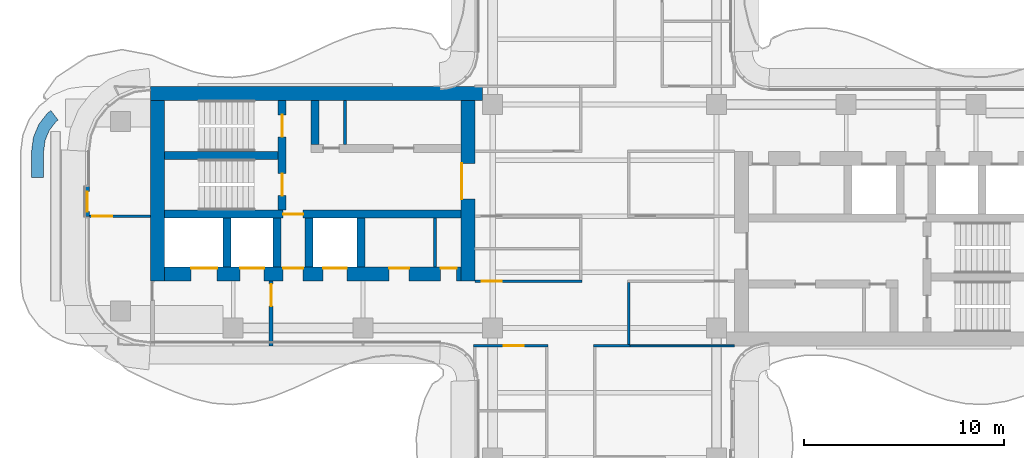
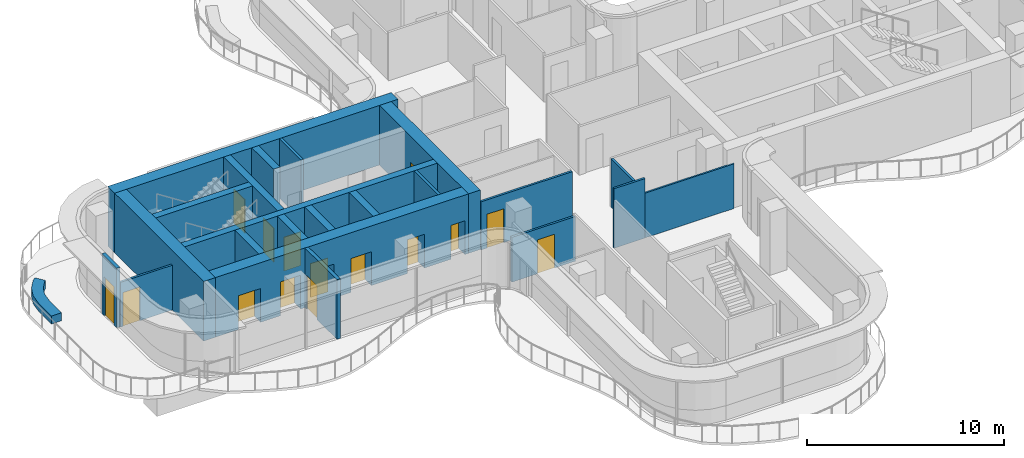
# One storey, part 12 of 17: 23 walls, 15 doors, 15 openings.
"""IFC4 building model written with IfcOpenShell, lengths in metres."""

from ifc_helpers import new_model, si_unit, direction, frame, frame_2d, origin, place, context, subcontext, project, spatial, polyline, rectangle, outline, extrude, source, transform, mapped, material, layer, layer_set, type_object, element, fill, save


model = new_model("IFC4")

# Units and contexts
model_context = context("Model", 3, precision=1e-05, world=origin(), true_north=direction((0.0, 1.0)))
body_context = subcontext(model_context, "Body", "Model", "MODEL_VIEW")
ifc_project = project(units=[si_unit("LENGTHUNIT", "METRE"), si_unit("AREAUNIT", "SQUARE_METRE"), si_unit("VOLUMEUNIT", "CUBIC_METRE"), si_unit("PLANEANGLEUNIT", "RADIAN"), si_unit("MASSUNIT", "GRAM", prefix="KILO")], contexts=[model_context])

# Site, building, storey
site_placement = place(None, origin())
site = spatial("IfcSite", under=ifc_project, at=site_placement, CompositionType="ELEMENT")
building_placement = place(site_placement, origin())
building = spatial("IfcBuilding", under=site, at=building_placement, Name="Trellis Farm Tower", CompositionType="ELEMENT")
storey_placement = place(building_placement, frame((0.0, 0.0, 279.39990234375)))
storey = spatial("IfcBuildingStorey", under=building, at=storey_placement, Name="L62", CompositionType="ELEMENT", Elevation=279.39990234375)

# Wall
ifc_material_1 = material(Name="Sandstone faced masonry planter", Category="masonry")
ifc_layer_1 = layer(ifc_material_1, 0.60009765625)
ifc_layer_set_1 = layer_set([ifc_layer_1], Name="PLANTER BED 600")
wall_type_1 = type_object("IfcWallType", Name="PLANTER BED 600", PredefinedType="USERDEFINED", material=ifc_layer_set_1)
wall_1_placement = place(storey_placement, origin())
element("IfcWall", 1, at=wall_1_placement, inside=storey, type_object=wall_type_1, Name="PLANTER bed", ObjectType="PLANTER", PredefinedType="USERDEFINED", context=body_context, shape_type="SweptSolid", body=[
    extrude(outline(polyline([(-28.603515625, 3.947509765625), (-28.334228515625, 4.59765625), (-27.90576171875, 5.15576171875), (-27.730224609375, 5.29052734375), (-27.364990234375, 4.814697265625), (-27.477783203125, 4.727783203125), (-27.81005859375, 4.294921875), (-28.018798828125, 3.791015625), (-28.10009765625, 3.174560546875), (-28.10009765625, 1.929931640625), (-28.699951171875, 1.929931640625), (-28.699951171875, 3.214111328125), (-28.603515625, 3.947509765625)])), origin(), (0.0, 0.0, 1.0), 0.5),
])

# Wall, opening, door
ifc_material_2 = material(Name="Concrete C50/60", Category="concrete")
ifc_layer_2 = layer(ifc_material_2, 0.699951171875)
ifc_layer_set_2 = layer_set([ifc_layer_2], Name="CORE OUTER WALL 700 CONCRETE C50/60")
wall_type_2 = type_object("IfcWallType", Name="CORE OUTER WALL 700 CONCRETE C50/60", PredefinedType="SHEAR", material=ifc_layer_set_2)
shared_shape_1 = source(origin(), body_context, "Body", "SweptSolid", [
    extrude(rectangle(XDim=9.050048828125, YDim=0.699951171875, at=frame_2d((4.52490234375, 0.0))), origin(), (0.0, 0.0, 1.0), 3.7001953125),
])
wall_2_placement = place(storey_placement, frame((-6.85009765625, 5.800048828125, 0.0), z_axis=(0.0, 0.0, 1.0), x_axis=(0.0, -1.0, 0.0)))
wall_2 = element("IfcWall", 2, at=wall_2_placement, inside=storey, type_object=wall_type_2, Name="Core wall", PredefinedType="SHEAR", context=body_context, shape_type="MappedRepresentation", body=[
    mapped(shared_shape_1, transform((0.0, 0.0, 0.0))),
])
shared_shape_2 = source(origin(), body_context, "Body", "SweptSolid", [
    extrude(rectangle(XDim=1.800048828125, YDim=2.10009765625, at=frame_2d((0.89990234375, 1.050048828125))), frame((0.0, 0.360107421875, 0.0), z_axis=(0.0, -1.0, 0.0), x_axis=(1.0, 0.0, 0.0)), (0.0, 0.0, 1.0), 0.72021484375),
])
opening_1_placement = place(wall_2_placement, frame((3.14990234375, 0.0, 0.0)))
opening_1 = element("IfcOpeningElement", 3, at=opening_1_placement, cuts=wall_2, Name="Opening DC87", PredefinedType="OPENING", context=body_context, shape_type="MappedRepresentation", body=[
    mapped(shared_shape_2, transform((0.0, 0.0, 0.0))),
])
ifc_material_3 = material(Name="Steel", Category="steel")
door_type_1 = type_object("IfcDoorType", Name="CORE FIRE DOOR DOUBLE 1800 X 2100", OperationType="DOUBLE_DOOR_SINGLE_SWING", PredefinedType="DOOR", material=ifc_material_3)
shared_shape_3 = source(origin(), body_context, "Body", "SweptSolid", [
    extrude(rectangle(XDim=1.800048828125, YDim=2.10009765625, at=frame_2d((0.89990234375, 1.050048828125))), frame((0.0, -0.27490234375, 0.0), z_axis=(0.0, -1.0, 0.0), x_axis=(1.0, 0.0, 0.0)), (0.0, 0.0, 1.0), 0.050048828125),
])
door_1_placement = place(opening_1_placement, origin())
door_1 = element("IfcDoor", 4, at=door_1_placement, inside=storey, type_object=door_type_1, Name="Core door", OperationType="DOUBLE_DOOR_SINGLE_SWING", OverallHeight=2.10009765625, OverallWidth=1.800048828125, PredefinedType="DOOR", context=body_context, shape_type="MappedRepresentation", body=[
    mapped(shared_shape_3, transform((0.0, 0.0, 0.0))),
])
fill(opening_1, door_1)

# Walls
wall_3_placement = place(storey_placement, frame((-22.39990234375, 5.800048828125, 0.0), z_axis=(0.0, 0.0, 1.0), x_axis=(0.0, -1.0, 0.0)))
element("IfcWall", 5, at=wall_3_placement, inside=storey, type_object=wall_type_2, Name="Core wall", PredefinedType="SHEAR", context=body_context, shape_type="MappedRepresentation", body=[
    mapped(shared_shape_1, transform((0.0, 0.0, 0.0))),
])
ifc_layer_3 = layer(ifc_material_2, 0.39990234375)
ifc_layer_set_3 = layer_set([ifc_layer_3], Name="CORE INNER WALL 400 CONCRETE C50/60")
wall_type_3 = type_object("IfcWallType", Name="CORE INNER WALL 400 CONCRETE C50/60", PredefinedType="SHEAR", material=ifc_layer_set_3)
shared_shape_4 = source(origin(), body_context, "Body", "SweptSolid", [
    extrude(rectangle(XDim=2.449951171875, YDim=0.39990234375, at=frame_2d((1.22509765625, 0.0))), origin(), (0.0, 0.0, 1.0), 3.7001953125),
])
for number, where, z_axis, x_axis, name in (
    (6, (-12.199951171875, -0.10009765625, 0.0), (0.0, 0.0, 1.0), (0.0, -1.0, 0.0), "Core wall"),
    (7, (-14.800048828125, -0.10009765625, 0.0), (0.0, 0.0, 1.0), (0.0, -1.0, 0.0), "Core wall"),
    (8, (-16.39990234375, -0.10009765625, 0.0), (0.0, 0.0, 1.0), (0.0, -1.0, 0.0), "Core wall"),
    (9, (-18.89990234375, -0.10009765625, 0.0), (0.0, 0.0, 1.0), (0.0, -1.0, 0.0), "Core wall"),
):
    element("IfcWall", number, at=place(storey_placement, frame(where, z_axis=z_axis, x_axis=x_axis)), inside=storey, type_object=wall_type_3, Name=name, PredefinedType="SHEAR", context=body_context, shape_type="MappedRepresentation", body=[
        mapped(shared_shape_4, transform((0.0, 0.0, 0.0))),
    ])

# Wall, opening, door
ifc_material_4 = material(Name="Masonry blockwork", Category="masonry")
ifc_layer_4 = layer(ifc_material_4, 0.199951171875)
ifc_layer_set_4 = layer_set([ifc_layer_4], Name="FIRE LOBBY PARTITION 200 BLOCKWORK")
wall_type_4 = type_object("IfcWallType", Name="FIRE LOBBY PARTITION 200 BLOCKWORK", PredefinedType="PARTITIONING", material=ifc_layer_set_4)
shared_shape_5 = source(origin(), body_context, "Body", "SweptSolid", [
    extrude(rectangle(XDim=3.25, YDim=0.199951171875, at=frame_2d((1.625, 0.0))), origin(), (0.0, 0.0, 1.0), 3.7001953125),
])
wall_4_placement = place(storey_placement, frame((-16.699951171875, -3.25, 0.0), z_axis=(0.0, 0.0, 1.0), x_axis=(0.0, -1.0, 0.0)))
wall_4 = element("IfcWall", 10, at=wall_4_placement, inside=storey, type_object=wall_type_4, Name="Fire-fighting lobby partition", PredefinedType="PARTITIONING", context=body_context, shape_type="MappedRepresentation", body=[
    mapped(shared_shape_5, transform((0.0, 0.0, 0.0))),
])
shared_shape_6 = source(origin(), body_context, "Body", "SweptSolid", [
    extrude(rectangle(XDim=1.10009765625, YDim=2.10009765625, at=frame_2d((0.550048828125, 1.050048828125))), frame((0.0, 0.110107421875, 0.0), z_axis=(0.0, -1.0, 0.0), x_axis=(1.0, 0.0, 0.0)), (0.0, 0.0, 1.0), 0.22021484375),
])
opening_2_placement = place(wall_4_placement, frame((0.14990234375, 0.0, 0.0)))
opening_2 = element("IfcOpeningElement", 11, at=opening_2_placement, cuts=wall_4, Name="Opening DC93", PredefinedType="OPENING", context=body_context, shape_type="MappedRepresentation", body=[
    mapped(shared_shape_6, transform((0.0, 0.0, 0.0))),
])
door_type_2 = type_object("IfcDoorType", Name="CORE FIRE DOOR 1100 X 2100", OperationType="NOTDEFINED", PredefinedType="DOOR", material=ifc_material_3)
shared_shape_7 = source(origin(), body_context, "Body", "SweptSolid", [
    extrude(rectangle(XDim=1.10009765625, YDim=2.10009765625, at=frame_2d((0.550048828125, 1.050048828125))), frame((0.0, 0.02490234375, 0.0), z_axis=(0.0, -1.0, 0.0), x_axis=(1.0, 0.0, 0.0)), (0.0, 0.0, 1.0), 0.050048828125),
])
door_2_placement = place(opening_2_placement, origin())
door_2 = element("IfcDoor", 12, at=door_2_placement, inside=storey, type_object=door_type_2, Name="Core door", OperationType="SINGLE_SWING_RIGHT", OverallHeight=2.10009765625, OverallWidth=1.10009765625, PredefinedType="DOOR", context=body_context, shape_type="MappedRepresentation", body=[
    mapped(shared_shape_7, transform((0.0, 0.0, 0.0))),
])
fill(opening_2, door_2)

# Wall, openings, doors
shared_shape_8 = source(origin(), body_context, "Body", "SweptSolid", [
    extrude(rectangle(XDim=14.85009765625, YDim=0.699951171875, at=frame_2d((7.425048828125, 0.0))), origin(), (0.0, 0.0, 1.0), 3.7001953125),
])
wall_5_placement = place(storey_placement, frame((-7.199951171875, -2.89990234375, 0.0), z_axis=(0.0, 0.0, 1.0), x_axis=(-1.0, 0.0, 0.0)))
wall_5 = element("IfcWall", 13, at=wall_5_placement, inside=storey, type_object=wall_type_2, Name="Core wall", PredefinedType="SHEAR", context=body_context, shape_type="MappedRepresentation", body=[
    mapped(shared_shape_8, transform((0.0, 0.0, 0.0))),
])
shared_shape_9 = source(origin(), body_context, "Body", "SweptSolid", [
    extrude(rectangle(XDim=1.199951171875, YDim=2.10009765625, at=frame_2d((0.60009765625, 1.050048828125))), frame((0.0, 0.360107421875, 0.0), z_axis=(0.0, -1.0, 0.0), x_axis=(1.0, 0.0, 0.0)), (0.0, 0.0, 1.0), 0.72021484375),
])
opening_3_placement = place(wall_5_placement, frame((5.699951171875, 0.0, 0.0)))
opening_3 = element("IfcOpeningElement", 14, at=opening_3_placement, cuts=wall_5, Name="Opening LD14", PredefinedType="OPENING", context=body_context, shape_type="MappedRepresentation", body=[
    mapped(shared_shape_9, transform((0.0, 0.0, 0.0))),
])
shared_shape_10 = source(origin(), body_context, "Body", "SweptSolid", [
    extrude(rectangle(XDim=1.300048828125, YDim=2.10009765625, at=frame_2d((0.64990234375, 1.050048828125))), frame((0.0, 0.360107421875, 0.0), z_axis=(0.0, -1.0, 0.0), x_axis=(1.0, 0.0, 0.0)), (0.0, 0.0, 1.0), 0.72021484375),
])
opening_4_placement = place(wall_5_placement, frame((12.199951171875, 0.0, 0.0)))
opening_4 = element("IfcOpeningElement", 15, at=opening_4_placement, cuts=wall_5, Name="Opening LD15", PredefinedType="OPENING", context=body_context, shape_type="MappedRepresentation", body=[
    mapped(shared_shape_10, transform((0.0, 0.0, 0.0))),
])
opening_5_placement = place(wall_5_placement, frame((9.85009765625, 0.0, 0.0)))
opening_5 = element("IfcOpeningElement", 16, at=opening_5_placement, cuts=wall_5, Name="Opening LD16", PredefinedType="OPENING", context=body_context, shape_type="MappedRepresentation", body=[
    mapped(shared_shape_9, transform((0.0, 0.0, 0.0))),
])
shared_shape_11 = source(origin(), body_context, "Body", "SweptSolid", [
    extrude(rectangle(XDim=1.0, YDim=2.10009765625, at=frame_2d((0.5, 1.050048828125))), frame((0.0, 0.360107421875, 0.0), z_axis=(0.0, -1.0, 0.0), x_axis=(1.0, 0.0, 0.0)), (0.0, 0.0, 1.0), 0.72021484375),
])
opening_6_placement = place(wall_5_placement, frame((7.89990234375, 0.0, 0.0)))
opening_6 = element("IfcOpeningElement", 17, at=opening_6_placement, cuts=wall_5, Name="Opening DC92", PredefinedType="OPENING", context=body_context, shape_type="MappedRepresentation", body=[
    mapped(shared_shape_11, transform((0.0, 0.0, 0.0))),
])
shared_shape_12 = source(origin(), body_context, "Body", "SweptSolid", [
    extrude(rectangle(XDim=0.800048828125, YDim=2.10009765625, at=frame_2d((0.39990234375, 1.050048828125))), frame((0.0, 0.360107421875, 0.0), z_axis=(0.0, -1.0, 0.0), x_axis=(1.0, 0.0, 0.0)), (0.0, 0.0, 1.0), 0.72021484375),
])
opening_7_placement = place(wall_5_placement, frame((0.21240234375, 0.0, 0.0)))
opening_7 = element("IfcOpeningElement", 18, at=opening_7_placement, cuts=wall_5, Name="Opening DC95", PredefinedType="OPENING", context=body_context, shape_type="MappedRepresentation", body=[
    mapped(shared_shape_12, transform((0.0, 0.0, 0.0))),
])
opening_8_placement = place(wall_5_placement, frame((2.58740234375, 0.0, 0.0)))
opening_8 = element("IfcOpeningElement", 19, at=opening_8_placement, cuts=wall_5, Name="Opening DC106", PredefinedType="OPENING", context=body_context, shape_type="MappedRepresentation", body=[
    mapped(shared_shape_11, transform((0.0, 0.0, 0.0))),
])
door_type_3 = type_object("IfcDoorType", Name="CORE FIRE DOOR 1000 X 2100", OperationType="NOTDEFINED", PredefinedType="DOOR", material=ifc_material_3)
shared_shape_13 = source(origin(), body_context, "Body", "SweptSolid", [
    extrude(rectangle(XDim=1.0, YDim=2.10009765625, at=frame_2d((0.5, 1.050048828125))), frame((0.0, -0.27490234375, 0.0), z_axis=(0.0, -1.0, 0.0), x_axis=(1.0, 0.0, 0.0)), (0.0, 0.0, 1.0), 0.050048828125),
])
door_3_placement = place(opening_6_placement, origin())
door_3 = element("IfcDoor", 20, at=door_3_placement, inside=storey, type_object=door_type_3, Name="Core door", OperationType="SINGLE_SWING_LEFT", OverallHeight=2.10009765625, OverallWidth=1.0, PredefinedType="DOOR", context=body_context, shape_type="MappedRepresentation", body=[
    mapped(shared_shape_13, transform((0.0, 0.0, 0.0))),
])
fill(opening_6, door_3)
door_4_placement = place(opening_8_placement, origin())
door_4 = element("IfcDoor", 21, at=door_4_placement, inside=storey, type_object=door_type_3, Name="Core door", OperationType="SINGLE_SWING_RIGHT", OverallHeight=2.10009765625, OverallWidth=1.0, PredefinedType="DOOR", context=body_context, shape_type="MappedRepresentation", body=[
    mapped(shared_shape_13, transform((0.0, 0.0, 0.0))),
])
fill(opening_8, door_4)
ifc_material_5 = material(Name="Stainless steel", Category="steel")
door_type_4 = type_object("IfcDoorType", Name="LIFT LANDING DOOR 1300 X 2100", OperationType="DOUBLE_DOOR_SLIDING", PredefinedType="DOOR", material=ifc_material_5)
shared_shape_14 = source(origin(), body_context, "Body", "SweptSolid", [
    extrude(rectangle(XDim=1.300048828125, YDim=2.10009765625, at=frame_2d((0.64990234375, 1.050048828125))), frame((0.0, -0.27490234375, 0.0), z_axis=(0.0, -1.0, 0.0), x_axis=(1.0, 0.0, 0.0)), (0.0, 0.0, 1.0), 0.050048828125),
])
door_5_placement = place(opening_4_placement, origin())
door_5 = element("IfcDoor", 22, at=door_5_placement, inside=storey, type_object=door_type_4, Name="Lift landing door", OperationType="DOUBLE_DOOR_SLIDING", OverallHeight=2.10009765625, OverallWidth=1.300048828125, PredefinedType="DOOR", context=body_context, shape_type="MappedRepresentation", body=[
    mapped(shared_shape_14, transform((0.0, 0.0, 0.0))),
])
fill(opening_4, door_5)
door_type_5 = type_object("IfcDoorType", Name="LIFT LANDING DOOR 1200 X 2100", OperationType="DOUBLE_DOOR_SLIDING", PredefinedType="DOOR", material=ifc_material_5)
shared_shape_15 = source(origin(), body_context, "Body", "SweptSolid", [
    extrude(rectangle(XDim=1.199951171875, YDim=2.10009765625, at=frame_2d((0.60009765625, 1.050048828125))), frame((0.0, -0.27490234375, 0.0), z_axis=(0.0, -1.0, 0.0), x_axis=(1.0, 0.0, 0.0)), (0.0, 0.0, 1.0), 0.050048828125),
])
door_6_placement = place(opening_3_placement, origin())
door_6 = element("IfcDoor", 23, at=door_6_placement, inside=storey, type_object=door_type_5, Name="Lift landing door", OperationType="DOUBLE_DOOR_SLIDING", OverallHeight=2.10009765625, OverallWidth=1.199951171875, PredefinedType="DOOR", context=body_context, shape_type="MappedRepresentation", body=[
    mapped(shared_shape_15, transform((0.0, 0.0, 0.0))),
])
fill(opening_3, door_6)
door_7_placement = place(opening_5_placement, origin())
door_7 = element("IfcDoor", 24, at=door_7_placement, inside=storey, type_object=door_type_5, Name="Lift landing door", OperationType="DOUBLE_DOOR_SLIDING", OverallHeight=2.10009765625, OverallWidth=1.199951171875, PredefinedType="DOOR", context=body_context, shape_type="MappedRepresentation", body=[
    mapped(shared_shape_15, transform((0.0, 0.0, 0.0))),
])
fill(opening_5, door_7)
door_type_6 = type_object("IfcDoorType", Name="CORE FIRE DOOR 800 X 2100", OperationType="NOTDEFINED", PredefinedType="DOOR", material=ifc_material_3)
shared_shape_16 = source(origin(), body_context, "Body", "SweptSolid", [
    extrude(rectangle(XDim=0.800048828125, YDim=2.10009765625, at=frame_2d((0.39990234375, 1.050048828125))), frame((0.0, -0.27490234375, 0.0), z_axis=(0.0, -1.0, 0.0), x_axis=(1.0, 0.0, 0.0)), (0.0, 0.0, 1.0), 0.050048828125),
])
door_8_placement = place(opening_7_placement, origin())
door_8 = element("IfcDoor", 25, at=door_8_placement, inside=storey, type_object=door_type_6, Name="Core door", OperationType="SINGLE_SWING_LEFT", OverallHeight=2.10009765625, OverallWidth=0.800048828125, PredefinedType="DOOR", context=body_context, shape_type="MappedRepresentation", body=[
    mapped(shared_shape_16, transform((0.0, 0.0, 0.0))),
])
fill(opening_7, door_8)

# Wall, opening, door
shared_shape_17 = source(origin(), body_context, "Body", "SweptSolid", [
    extrude(rectangle(XDim=14.85009765625, YDim=0.39990234375, at=frame_2d((7.425048828125, 0.0))), origin(), (0.0, 0.0, 1.0), 3.7001953125),
])
wall_6_placement = place(storey_placement, frame((-7.199951171875, 0.10009765625, 0.0), z_axis=(0.0, 0.0, 1.0), x_axis=(-1.0, 0.0, 0.0)))
wall_6 = element("IfcWall", 26, at=wall_6_placement, inside=storey, type_object=wall_type_3, Name="Core wall", PredefinedType="SHEAR", context=body_context, shape_type="MappedRepresentation", body=[
    mapped(shared_shape_17, transform((0.0, 0.0, 0.0))),
])
shared_shape_18 = source(origin(), body_context, "Body", "SweptSolid", [
    extrude(rectangle(XDim=1.0, YDim=2.10009765625, at=frame_2d((0.5, 1.050048828125))), frame((0.0, 0.2099609375, 0.0), z_axis=(0.0, -1.0, 0.0), x_axis=(1.0, 0.0, 0.0)), (0.0, 0.0, 1.0), 0.419921875),
])
opening_9_placement = place(wall_6_placement, frame((7.89990234375, 0.0, 0.0)))
opening_9 = element("IfcOpeningElement", 27, at=opening_9_placement, cuts=wall_6, Name="Opening DC91", PredefinedType="OPENING", context=body_context, shape_type="MappedRepresentation", body=[
    mapped(shared_shape_18, transform((0.0, 0.0, 0.0))),
])
shared_shape_19 = source(origin(), body_context, "Body", "SweptSolid", [
    extrude(rectangle(XDim=1.0, YDim=2.10009765625, at=frame_2d((0.5, 1.050048828125))), frame((0.0, 0.02490234375, 0.0), z_axis=(0.0, -1.0, 0.0), x_axis=(1.0, 0.0, 0.0)), (0.0, 0.0, 1.0), 0.050048828125),
])
door_9_placement = place(opening_9_placement, origin())
door_9 = element("IfcDoor", 28, at=door_9_placement, inside=storey, type_object=door_type_3, Name="Core door", OperationType="SINGLE_SWING_RIGHT", OverallHeight=2.10009765625, OverallWidth=1.0, PredefinedType="DOOR", context=body_context, shape_type="MappedRepresentation", body=[
    mapped(shared_shape_19, transform((0.0, 0.0, 0.0))),
])
fill(opening_9, door_9)

# Wall, openings, doors
shared_shape_20 = source(origin(), body_context, "Body", "SweptSolid", [
    extrude(rectangle(XDim=5.5, YDim=0.39990234375, at=frame_2d((2.75, 0.0))), origin(), (0.0, 0.0, 1.0), 3.7001953125),
])
wall_7_placement = place(storey_placement, frame((-16.14990234375, 5.800048828125, 0.0), z_axis=(0.0, 0.0, 1.0), x_axis=(0.0, -1.0, 0.0)))
wall_7 = element("IfcWall", 29, at=wall_7_placement, inside=storey, type_object=wall_type_3, Name="Core wall", PredefinedType="SHEAR", context=body_context, shape_type="MappedRepresentation", body=[
    mapped(shared_shape_20, transform((0.0, 0.0, 0.0))),
])
shared_shape_21 = source(origin(), body_context, "Body", "SweptSolid", [
    extrude(rectangle(XDim=1.10009765625, YDim=2.10009765625, at=frame_2d((0.550048828125, 1.050048828125))), frame((0.0, 0.2099609375, 0.0), z_axis=(0.0, -1.0, 0.0), x_axis=(1.0, 0.0, 0.0)), (0.0, 0.0, 1.0), 0.419921875),
])
opening_10_placement = place(wall_7_placement, frame((0.72509765625, 0.0, 0.0)))
opening_10 = element("IfcOpeningElement", 30, at=opening_10_placement, cuts=wall_7, Name="Opening DC88", PredefinedType="OPENING", context=body_context, shape_type="MappedRepresentation", body=[
    mapped(shared_shape_21, transform((0.0, 0.0, 0.0))),
])
opening_11_placement = place(wall_7_placement, frame((3.675048828125, 0.0, 0.0)))
opening_11 = element("IfcOpeningElement", 31, at=opening_11_placement, cuts=wall_7, Name="Opening DC89", PredefinedType="OPENING", context=body_context, shape_type="MappedRepresentation", body=[
    mapped(shared_shape_21, transform((0.0, 0.0, 0.0))),
])
door_10_placement = place(opening_10_placement, origin())
door_10 = element("IfcDoor", 32, at=door_10_placement, inside=storey, type_object=door_type_2, Name="Core door", OperationType="SINGLE_SWING_RIGHT", OverallHeight=2.10009765625, OverallWidth=1.10009765625, PredefinedType="DOOR", context=body_context, shape_type="MappedRepresentation", body=[
    mapped(shared_shape_7, transform((0.0, 0.0, 0.0))),
])
fill(opening_10, door_10)
door_11_placement = place(opening_11_placement, origin())
door_11 = element("IfcDoor", 33, at=door_11_placement, inside=storey, type_object=door_type_2, Name="Core door", OperationType="SINGLE_SWING_LEFT", OverallHeight=2.10009765625, OverallWidth=1.10009765625, PredefinedType="DOOR", context=body_context, shape_type="MappedRepresentation", body=[
    mapped(shared_shape_7, transform((0.0, 0.0, 0.0))),
])
fill(opening_11, door_11)

# Walls
shared_shape_22 = source(origin(), body_context, "Body", "SweptSolid", [
    extrude(rectangle(XDim=5.699951171875, YDim=0.39990234375, at=frame_2d((2.85009765625, 0.0))), origin(), (0.0, 0.0, 1.0), 3.7001953125),
])
wall_8_placement = place(storey_placement, frame((-16.35009765625, 3.050048828125, 0.0), z_axis=(0.0, 0.0, 1.0), x_axis=(-1.0, 0.0, 0.0)))
element("IfcWall", 34, at=wall_8_placement, inside=storey, type_object=wall_type_3, Name="Core wall", PredefinedType="SHEAR", context=body_context, shape_type="MappedRepresentation", body=[
    mapped(shared_shape_22, transform((0.0, 0.0, 0.0))),
])
shared_shape_23 = source(origin(), body_context, "Body", "SweptSolid", [
    extrude(rectangle(XDim=2.199951171875, YDim=0.39990234375, at=frame_2d((1.10009765625, 0.0))), origin(), (0.0, 0.0, 1.0), 3.7001953125),
])
wall_9_placement = place(storey_placement, frame((-14.5, 5.800048828125, 0.0), z_axis=(0.0, 0.0, 1.0), x_axis=(0.0, -1.0, 0.0)))
element("IfcWall", 35, at=wall_9_placement, inside=storey, type_object=wall_type_3, Name="Core wall", PredefinedType="SHEAR", context=body_context, shape_type="MappedRepresentation", body=[
    mapped(shared_shape_23, transform((0.0, 0.0, 0.0))),
])
ifc_layer_5 = layer(ifc_material_4, 0.14990234375)
ifc_layer_set_5 = layer_set([ifc_layer_5], Name="CORE PARTITION 150 BLOCKWORK")
wall_type_5 = type_object("IfcWallType", Name="CORE PARTITION 150 BLOCKWORK", PredefinedType="PARTITIONING", material=ifc_layer_set_5)
shared_shape_24 = source(origin(), body_context, "Body", "SweptSolid", [
    extrude(rectangle(XDim=2.199951171875, YDim=0.14990234375, at=frame_2d((1.10009765625, 0.0))), origin(), (0.0, 0.0, 1.0), 3.7001953125),
])
wall_10_placement = place(storey_placement, frame((-13.0, 5.800048828125, 0.0), z_axis=(0.0, 0.0, 1.0), x_axis=(0.0, -1.0, 0.0)))
element("IfcWall", 36, at=wall_10_placement, inside=storey, type_object=wall_type_5, Name="Core room partition", PredefinedType="PARTITIONING", context=body_context, shape_type="MappedRepresentation", body=[
    mapped(shared_shape_24, transform((0.0, 0.0, 0.0))),
])
shared_shape_25 = source(origin(), body_context, "Body", "SweptSolid", [
    extrude(rectangle(XDim=16.64990234375, YDim=0.699951171875, at=frame_2d((8.324951171875, 0.0))), origin(), (0.0, 0.0, 1.0), 3.7001953125),
])
wall_11_placement = place(storey_placement, frame((-6.10009765625, 6.14990234375, 0.0), z_axis=(0.0, 0.0, 1.0), x_axis=(-1.0, 0.0, 0.0)))
element("IfcWall", 37, at=wall_11_placement, inside=storey, type_object=wall_type_2, Name="Core wall", PredefinedType="SHEAR", context=body_context, shape_type="MappedRepresentation", body=[
    mapped(shared_shape_25, transform((0.0, 0.0, 0.0))),
])
shared_shape_26 = source(origin(), body_context, "Body", "SweptSolid", [
    extrude(rectangle(XDim=2.449951171875, YDim=0.14990234375, at=frame_2d((1.22509765625, 0.0))), origin(), (0.0, 0.0, 1.0), 3.7001953125),
])
wall_12_placement = place(storey_placement, frame((-8.5, -0.10009765625, 0.0), z_axis=(0.0, 0.0, 1.0), x_axis=(0.0, -1.0, 0.0)))
element("IfcWall", 38, at=wall_12_placement, inside=storey, type_object=wall_type_5, Name="Core room partition", PredefinedType="PARTITIONING", context=body_context, shape_type="MappedRepresentation", body=[
    mapped(shared_shape_26, transform((0.0, 0.0, 0.0))),
])

# Wall, opening, door
ifc_material_6 = material(Name="Sandstone faced insulated wall", Category="masonry")
ifc_layer_6 = layer(ifc_material_6, 0.199951171875)
ifc_layer_set_6 = layer_set([ifc_layer_6], Name="EXTERNAL INFILL WALL 200")
wall_type_6 = type_object("IfcWallType", Name="EXTERNAL INFILL WALL 200", PredefinedType="SOLIDWALL", material=ifc_layer_set_6)
shared_shape_27 = source(origin(), body_context, "Body", "SweptSolid", [
    extrude(rectangle(XDim=1.5, YDim=0.199951171875, at=frame_2d((0.75, 0.0))), origin(), (0.0, 0.0, 1.0), 3.7001953125),
])
wall_13_placement = place(storey_placement, frame((-25.89990234375, 1.47998046875, 0.0), z_axis=(0.0, 0.0, 1.0), x_axis=(0.0, -1.0, 0.0)))
wall_13 = element("IfcWall", 39, at=wall_13_placement, inside=storey, type_object=wall_type_6, Name="EW1 02", PredefinedType="SOLIDWALL", context=body_context, shape_type="MappedRepresentation", body=[
    mapped(shared_shape_27, transform((0.0, 0.0, 0.0))),
])
shared_shape_28 = source(origin(), body_context, "Body", "SweptSolid", [
    extrude(rectangle(XDim=1.0, YDim=2.39990234375, at=frame_2d((0.5, 1.199951171875))), frame((0.0, 0.110107421875, 0.0), z_axis=(0.0, -1.0, 0.0), x_axis=(1.0, 0.0, 0.0)), (0.0, 0.0, 1.0), 0.22021484375),
])
opening_12_placement = place(wall_13_placement, frame((0.25, 0.0, 0.0)))
opening_12 = element("IfcOpeningElement", 40, at=opening_12_placement, cuts=wall_13, Name="Opening ED2", PredefinedType="OPENING", context=body_context, shape_type="MappedRepresentation", body=[
    mapped(shared_shape_28, transform((0.0, 0.0, 0.0))),
])
ifc_material_7 = material(Name="Aluminium framed glazed door", Category="aluminium")
door_type_7 = type_object("IfcDoorType", Name="BALCONY DOOR 1000x2400", OperationType="SINGLE_SWING_LEFT", PredefinedType="DOOR", material=ifc_material_7)
shared_shape_29 = source(origin(), body_context, "Body", "SweptSolid", [
    extrude(rectangle(XDim=1.0, YDim=2.39990234375, at=frame_2d((0.5, 1.199951171875))), frame((0.0, 0.02490234375, 0.0), z_axis=(0.0, -1.0, 0.0), x_axis=(1.0, 0.0, 0.0)), (0.0, 0.0, 1.0), 0.050048828125),
])
door_12_placement = place(opening_12_placement, origin())
door_12 = element("IfcDoor", 41, at=door_12_placement, inside=storey, type_object=door_type_7, Name="Balcony door", OperationType="SINGLE_SWING_LEFT", OverallHeight=2.39990234375, OverallWidth=1.0, PredefinedType="DOOR", context=body_context, shape_type="MappedRepresentation", body=[
    mapped(shared_shape_29, transform((0.0, 0.0, 0.0))),
])
fill(opening_12, door_12)

# Wall
ifc_material_8 = material(Name="Plasterboard on steel studs, mineral wool", Category="steel")
ifc_layer_7 = layer(ifc_material_8, 0.125)
ifc_layer_set_7 = layer_set([ifc_layer_7], Name="PARTITION 125 STUD EI 60")
wall_type_7 = type_object("IfcWallType", Name="PARTITION 125 STUD EI 60", PredefinedType="PARTITIONING", material=ifc_layer_set_7)
shared_shape_30 = source(origin(), body_context, "Body", "SweptSolid", [
    extrude(rectangle(XDim=3.137451171875, YDim=0.125, at=frame_2d((1.56884765625, 0.0))), origin(), (0.0, 0.0, 1.0), 2.99658203125),
])
wall_14_placement = place(storey_placement, frame((1.199951171875, -3.3125, 0.0), z_axis=(0.0, 0.0, 1.0), x_axis=(0.0, -1.0, 0.0)))
element("IfcWall", 42, at=wall_14_placement, inside=storey, type_object=wall_type_7, Name="Partition PW1", PredefinedType="PARTITIONING", context=body_context, shape_type="MappedRepresentation", body=[
    mapped(shared_shape_30, transform((0.0, 0.0, 0.0))),
])

# Wall, opening, door
shared_shape_31 = source(origin(), body_context, "Body", "SweptSolid", [
    extrude(rectangle(XDim=5.362548828125, YDim=0.125, at=frame_2d((2.68115234375, 0.0))), origin(), (0.0, 0.0, 1.0), 2.99658203125),
])
wall_15_placement = place(storey_placement, frame((-1.137451171875, -3.25, 0.0), z_axis=(0.0, 0.0, 1.0), x_axis=(-1.0, 0.0, 0.0)))
wall_15 = element("IfcWall", 43, at=wall_15_placement, inside=storey, type_object=wall_type_7, Name="Partition PW1", PredefinedType="PARTITIONING", context=body_context, shape_type="MappedRepresentation", body=[
    mapped(shared_shape_31, transform((0.0, 0.0, 0.0))),
])
shared_shape_32 = source(origin(), body_context, "Body", "SweptSolid", [
    extrude(rectangle(XDim=1.0, YDim=2.10009765625, at=frame_2d((0.5, 1.050048828125))), frame((0.0, 0.072509765625, 0.0), z_axis=(0.0, -1.0, 0.0), x_axis=(1.0, 0.0, 0.0)), (0.0, 0.0, 1.0), 0.14501953125),
])
opening_13_placement = place(wall_15_placement, frame((4.012451171875, 0.0, 0.0)))
opening_13 = element("IfcOpeningElement", 44, at=opening_13_placement, cuts=wall_15, Name="Opening D103", PredefinedType="OPENING", context=body_context, shape_type="MappedRepresentation", body=[
    mapped(shared_shape_32, transform((0.0, 0.0, 0.0))),
])
ifc_material_9 = material(Name="Fire-rated timber door leaf in a hollow metal frame", Category="wood")
door_type_8 = type_object("IfcDoorType", Name="DOOR 1000x2100 FD30S", OperationType="NOTDEFINED", PredefinedType="DOOR", material=ifc_material_9)
door_13_placement = place(opening_13_placement, origin())
door_13 = element("IfcDoor", 45, at=door_13_placement, inside=storey, type_object=door_type_8, Name="Door D103", OperationType="SINGLE_SWING_RIGHT", OverallHeight=2.10009765625, OverallWidth=1.0, PredefinedType="DOOR", context=body_context, shape_type="MappedRepresentation", body=[
    mapped(shared_shape_19, transform((0.0, 0.0, 0.0))),
])
fill(opening_13, door_13)

# Wall
ifc_material_10 = material(Name="Plasterboard on steel studs", Category="steel")
ifc_layer_8 = layer(ifc_material_10, 0.10009765625)
ifc_layer_set_8 = layer_set([ifc_layer_8], Name="PARTITION 100 STUD EI 30")
wall_type_8 = type_object("IfcWallType", Name="PARTITION 100 STUD EI 30", PredefinedType="PARTITIONING", material=ifc_layer_set_8)
shared_shape_33 = source(origin(), body_context, "Body", "SweptSolid", [
    extrude(rectangle(XDim=5.362548828125, YDim=0.10009765625, at=frame_2d((2.68115234375, 0.0))), origin(), (0.0, 0.0, 1.0), 2.780029296875),
])
wall_16_placement = place(storey_placement, frame((1.137451171875, -6.5, 0.0), z_axis=(0.0, 0.0, 1.0), x_axis=(1.0, 0.0, 0.0)))
element("IfcWall", 46, at=wall_16_placement, inside=storey, type_object=wall_type_8, Name="Partition PW2", PredefinedType="PARTITIONING", context=body_context, shape_type="MappedRepresentation", body=[
    mapped(shared_shape_33, transform((0.0, 0.0, 0.0))),
])

# Wall, opening, door
shared_shape_34 = source(origin(), body_context, "Body", "SweptSolid", [
    extrude(rectangle(XDim=3.72509765625, YDim=0.125, at=frame_2d((1.862548828125, 0.0))), origin(), (0.0, 0.0, 1.0), 2.780029296875),
])
wall_17_placement = place(storey_placement, frame((-2.83740234375, -6.5, 0.0), z_axis=(0.0, 0.0, 1.0), x_axis=(-1.0, 0.0, 0.0)))
wall_17 = element("IfcWall", 47, at=wall_17_placement, inside=storey, type_object=wall_type_7, Name="Partition PW1", PredefinedType="PARTITIONING", context=body_context, shape_type="MappedRepresentation", body=[
    mapped(shared_shape_34, transform((0.0, 0.0, 0.0))),
])
opening_14_placement = place(wall_17_placement, frame((1.21240234375, 0.0, 0.0)))
opening_14 = element("IfcOpeningElement", 48, at=opening_14_placement, cuts=wall_17, Name="Opening D102", PredefinedType="OPENING", context=body_context, shape_type="MappedRepresentation", body=[
    mapped(shared_shape_32, transform((0.0, 0.0, 0.0))),
])
door_14_placement = place(opening_14_placement, origin())
door_14 = element("IfcDoor", 49, at=door_14_placement, inside=storey, type_object=door_type_8, Name="Door D102", OperationType="SINGLE_SWING_RIGHT", OverallHeight=2.10009765625, OverallWidth=1.0, PredefinedType="DOOR", context=body_context, shape_type="MappedRepresentation", body=[
    mapped(shared_shape_19, transform((0.0, 0.0, 0.0))),
])
fill(opening_14, door_14)

# Wall
shared_shape_35 = source(origin(), body_context, "Body", "SweptSolid", [
    extrude(rectangle(XDim=1.824951171875, YDim=0.125, at=frame_2d((0.91259765625, 0.0))), origin(), (0.0, 0.0, 1.0), 3.7001953125),
])
wall_18_placement = place(storey_placement, frame((1.262451171875, -6.5, 0.0), z_axis=(0.0, 0.0, 1.0), x_axis=(-1.0, 0.0, 0.0)))
element("IfcWall", 50, at=wall_18_placement, inside=storey, type_object=wall_type_7, Name="Partition PW1", PredefinedType="PARTITIONING", context=body_context, shape_type="MappedRepresentation", body=[
    mapped(shared_shape_35, transform((0.0, 0.0, 0.0))),
])

# Wall, opening, door
shared_shape_36 = source(origin(), body_context, "Body", "SweptSolid", [
    extrude(rectangle(XDim=3.050048828125, YDim=0.125, at=frame_2d((1.52490234375, 0.0))), origin(), (0.0, 0.0, 1.0), 2.780029296875),
])
wall_19_placement = place(storey_placement, frame((-25.800048828125, 0.0, 0.0), z_axis=(0.0, 0.0, 1.0), x_axis=(1.0, 0.0, 0.0)))
wall_19 = element("IfcWall", 51, at=wall_19_placement, inside=storey, type_object=wall_type_7, Name="Partition PW1", PredefinedType="PARTITIONING", context=body_context, shape_type="MappedRepresentation", body=[
    mapped(shared_shape_36, transform((0.0, 0.0, 0.0))),
])
opening_15_placement = place(wall_19_placement, frame((0.14990234375, 0.0, 0.0)))
opening_15 = element("IfcOpeningElement", 52, at=opening_15_placement, cuts=wall_19, Name="Opening D104", PredefinedType="OPENING", context=body_context, shape_type="MappedRepresentation", body=[
    mapped(shared_shape_32, transform((0.0, 0.0, 0.0))),
])
door_15_placement = place(opening_15_placement, origin())
door_15 = element("IfcDoor", 53, at=door_15_placement, inside=storey, type_object=door_type_8, Name="Door D104", OperationType="SINGLE_SWING_LEFT", OverallHeight=2.10009765625, OverallWidth=1.0, PredefinedType="DOOR", context=body_context, shape_type="MappedRepresentation", body=[
    mapped(shared_shape_19, transform((0.0, 0.0, 0.0))),
])
fill(opening_15, door_15)

save(model, "model.ifc")
